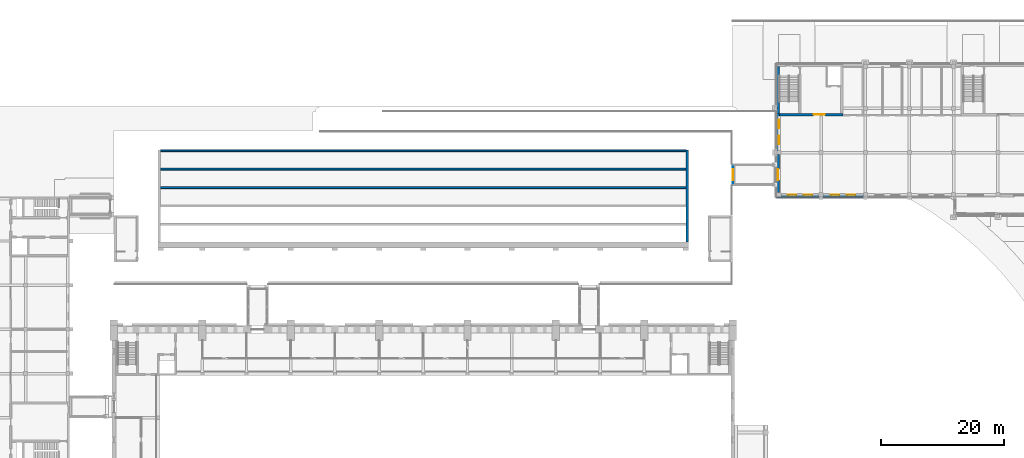
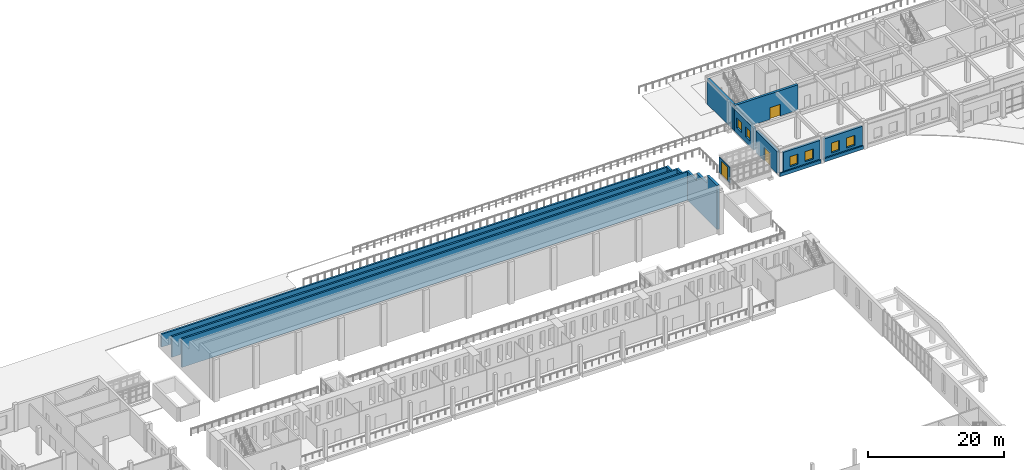
# One storey, part 99 of 131: 13 walls, 6 windows, 3 doors, 9 openings.
"""IFC4 building model written with IfcOpenShell, lengths in metres."""

from ifc_helpers import new_model, si_unit, direction, frame, frame_2d, origin, place, context, subcontext, project, spatial, polyline, rectangle, outline, extrude, material, layer, layer_set, type_object, element, fill, save


model = new_model("IFC4")

# Units and contexts
model_context = context("Model", 3, precision=1e-05, world=origin(), true_north=direction((0.0, 1.0)))
body_context = subcontext(model_context, "Body", "Model", "MODEL_VIEW")
ifc_project = project(units=[si_unit("LENGTHUNIT", "METRE"), si_unit("AREAUNIT", "SQUARE_METRE"), si_unit("VOLUMEUNIT", "CUBIC_METRE"), si_unit("PLANEANGLEUNIT", "RADIAN"), si_unit("MASSUNIT", "GRAM", prefix="KILO")], contexts=[model_context])

# Site, building, storey
site_placement = place(None, origin())
site = spatial("IfcSite", under=ifc_project, at=site_placement, CompositionType="ELEMENT")
building_placement = place(site_placement, origin())
building = spatial("IfcBuilding", under=site, at=building_placement, Name="Alderwick Market Hall", CompositionType="ELEMENT")
storey_placement = place(building_placement, frame((0.0, 0.0, 4.800048828125)))
storey = spatial("IfcBuildingStorey", under=building, at=storey_placement, Name="L00", CompositionType="ELEMENT", Elevation=4.800048828125)

# Walls
ifc_material_1 = material(Name="Concrete 5000 psi (f'c 35 MPa)", Category="concrete")
ifc_layer_1 = layer(ifc_material_1, 0.39990234375)
ifc_layer_set_1 = layer_set([ifc_layer_1], Name="Concrete 5000 psi (f'c 35 MPa)")
wall_type_1 = type_object("IfcWallType", Name="A RC Bank Cheek Wall 400", PredefinedType="SOLIDWALL", material=ifc_layer_set_1)
wall_1_placement = place(storey_placement, frame((143.800048828125, 122.25, 0.0), z_axis=(0.0, 0.0, 1.0), x_axis=(0.0, 1.0, 0.0)))
element("IfcWall", 1, at=wall_1_placement, inside=storey, type_object=wall_type_1, Name="Bank cheek wall", PredefinedType="SOLIDWALL", context=body_context, shape_type="SweptSolid", body=[
    extrude(outline(polyline([(0.0, 0.0), (15.0, 0.0), (15.0, 2.300048828125), (12.0009765625, 2.300048828125), (12.0, 3.699951171875), (9.0009765625, 3.699951171875), (9.0, 5.099853515625), (6.0009765625, 5.099853515625), (6.0, 6.5), (3.0009765625, 6.5), (3.0, 7.89990234375), (0.0, 7.89990234375), (0.0, 0.0)])), frame((0.0, 0.199951171875, 0.0), z_axis=(0.0, -1.0, 0.0), x_axis=(1.0, 0.0, 0.0)), (0.0, 0.0, 1.0), 0.39990234375),
])
ifc_layer_2 = layer(ifc_material_1, 0.300048828125)
ifc_layer_set_2 = layer_set([ifc_layer_2], Name="Concrete 5000 psi (f'c 35 MPa)")
wall_type_2 = type_object("IfcWallType", Name="A RC Terrace Parapet Wall 300", PredefinedType="SOLIDWALL", material=ifc_layer_set_2)
wall_2_placement = place(storey_placement, frame((58.0, 131.10009765625, 0.0), z_axis=(0.0, 0.0, 1.0), x_axis=(1.0, 0.0, 0.0)))
element("IfcWall", 2, at=wall_2_placement, inside=storey, type_object=wall_type_2, Name="Terrace parapet wall 3", PredefinedType="SOLIDWALL", context=body_context, shape_type="SweptSolid", body=[
    extrude(rectangle(XDim=85.60009765625, YDim=0.300048828125, at=frame_2d((42.800048828125, 0.0))), origin(), (0.0, 0.0, 1.0), 5.099853515625),
])
wall_3_placement = place(storey_placement, frame((58.0, 134.10009765625, 0.0), z_axis=(0.0, 0.0, 1.0), x_axis=(1.0, 0.0, 0.0)))
element("IfcWall", 3, at=wall_3_placement, inside=storey, type_object=wall_type_2, Name="Terrace parapet wall 4", PredefinedType="SOLIDWALL", context=body_context, shape_type="SweptSolid", body=[
    extrude(rectangle(XDim=85.60009765625, YDim=0.300048828125, at=frame_2d((42.800048828125, 0.0))), origin(), (0.0, 0.0, 1.0), 3.699951171875),
])
wall_4_placement = place(storey_placement, frame((58.0, 137.10009765625, 0.0), z_axis=(0.0, 0.0, 1.0), x_axis=(1.0, 0.0, 0.0)))
element("IfcWall", 4, at=wall_4_placement, inside=storey, type_object=wall_type_2, Name="Terrace parapet wall 5", PredefinedType="SOLIDWALL", context=body_context, shape_type="SweptSolid", body=[
    extrude(rectangle(XDim=85.60009765625, YDim=0.300048828125, at=frame_2d((42.800048828125, 0.0))), origin(), (0.0, 0.0, 1.0), 2.300048828125),
])
ifc_layer_3 = layer(ifc_material_1, 0.39990234375)
ifc_layer_set_3 = layer_set([ifc_layer_3], Name="Concrete 5000 psi (f'c 35 MPa)")
wall_type_3 = type_object("IfcWallType", Name="F Core Wall Concrete 5000 psi 400", PredefinedType="SHEAR", material=ifc_layer_set_3)
wall_5_placement = place(storey_placement, frame((158.60009765625, 143.199951171875, 0.0), z_axis=(0.0, 0.0, 1.0), x_axis=(0.0, 1.0, 0.0)))
element("IfcWall", 5, at=wall_5_placement, inside=storey, type_object=wall_type_3, Name="F.wall.L00.fac.west.03", PredefinedType="SHEAR", context=body_context, shape_type="SweptSolid", body=[
    extrude(rectangle(XDim=7.60009765625, YDim=0.39990234375, at=frame_2d((3.800048828125, 0.0))), origin(), (0.0, 0.0, 1.0), 4.550048828125),
])

# Wall, opening, door
wall_6_placement = place(storey_placement, frame((158.39990234375, 143.0, 0.0), z_axis=(0.0, 0.0, 1.0), x_axis=(1.0, 0.0, 0.0)))
wall_6 = element("IfcWall", 6, at=wall_6_placement, inside=storey, type_object=wall_type_3, Name="F.wall.L00.core.A.front.01", PredefinedType="SHEAR", context=body_context, shape_type="SweptSolid", body=[
    extrude(rectangle(XDim=10.800048828125, YDim=0.39990234375, at=frame_2d((5.39990234375, 0.0))), origin(), (0.0, 0.0, 1.0), 4.550048828125),
])
opening_1_placement = place(wall_6_placement, frame((6.0, 0.0, 0.0)))
opening_1 = element("IfcOpeningElement", 7, at=opening_1_placement, cuts=wall_6, Name="Opening F-D034", PredefinedType="OPENING", context=body_context, shape_type="SweptSolid", body=[
    extrude(rectangle(XDim=1.800048828125, YDim=2.10009765625, at=frame_2d((0.89990234375, 1.050048828125))), frame((0.0, 0.2099609375, 0.0), z_axis=(0.0, -1.0, 0.0), x_axis=(1.0, 0.0, 0.0)), (0.0, 0.0, 1.0), 0.419921875),
])
ifc_material_2 = material(Name="Steel, insulated", Category="steel")
door_type_1 = type_object("IfcDoorType", Name="F Fire Door Pair FD90 1800x2100", OperationType="NOTDEFINED", PredefinedType="DOOR", material=ifc_material_2)
door_1_placement = place(opening_1_placement, origin())
door_1 = element("IfcDoor", 8, at=door_1_placement, inside=storey, type_object=door_type_1, Name="F.door.L00.034", OperationType="NOTDEFINED", OverallHeight=2.10009765625, OverallWidth=1.800048828125, PredefinedType="DOOR", context=body_context, shape_type="SweptSolid", body=[
    extrude(rectangle(XDim=1.800048828125, YDim=2.10009765625, at=frame_2d((0.89990234375, 1.050048828125))), frame((0.0, 0.02490234375, 0.0), z_axis=(0.0, -1.0, 0.0), x_axis=(1.0, 0.0, 0.0)), (0.0, 0.0, 1.0), 0.050048828125),
])
fill(opening_1, door_1)

ifc_layer_4 = layer(ifc_material_1, 0.39990234375)
ifc_layer_set_4 = layer_set([ifc_layer_4], Name="Concrete 5000 psi (f'c 35 MPa)")
wall_type_4 = type_object("IfcWallType", Name="F End Shear Wall Concrete 5000 psi 400", PredefinedType="SHEAR", material=ifc_layer_set_4)
wall_7_placement = place(storey_placement, frame((158.60009765625, 130.27490234375, 0.0), z_axis=(0.0, 0.0, 1.0), x_axis=(0.0, 1.0, 0.0)))
wall_7 = element("IfcWall", 9, at=wall_7_placement, inside=storey, type_object=wall_type_4, Name="F.wall.L00.fac.west.01", PredefinedType="SHEAR", context=body_context, shape_type="SweptSolid", body=[
    extrude(rectangle(XDim=6.2001953125, YDim=0.39990234375, at=frame_2d((3.10009765625, 0.0))), origin(), (0.0, 0.0, 1.0), 3.949951171875),
])
opening_2_placement = place(wall_7_placement, frame((2.02490234375, 0.0, 0.0)))
opening_2 = element("IfcOpeningElement", 10, at=opening_2_placement, cuts=wall_7, Name="Opening F-D006", PredefinedType="OPENING", context=body_context, shape_type="SweptSolid", body=[
    extrude(rectangle(XDim=1.800048828125, YDim=2.39990234375, at=frame_2d((0.89990234375, 1.199951171875))), frame((0.0, 0.2099609375, 0.0), z_axis=(0.0, -1.0, 0.0), x_axis=(1.0, 0.0, 0.0)), (0.0, 0.0, 1.0), 0.419921875),
])
ifc_material_3 = material(Name="Aluminium, glazed", Category="aluminium")
door_type_2 = type_object("IfcDoorType", Name="F Passage Door Pair 1800x2400", OperationType="NOTDEFINED", PredefinedType="DOOR", material=ifc_material_3)
door_2_placement = place(opening_2_placement, origin())
door_2 = element("IfcDoor", 11, at=door_2_placement, inside=storey, type_object=door_type_2, Name="F.door.L00.006", OperationType="NOTDEFINED", OverallHeight=2.39990234375, OverallWidth=1.800048828125, PredefinedType="DOOR", context=body_context, shape_type="SweptSolid", body=[
    extrude(rectangle(XDim=1.800048828125, YDim=2.39990234375, at=frame_2d((0.89990234375, 1.199951171875))), frame((0.0, 0.02490234375, 0.0), z_axis=(0.0, -1.0, 0.0), x_axis=(1.0, 0.0, 0.0)), (0.0, 0.0, 1.0), 0.050048828125),
])
fill(opening_2, door_2)

# Wall, openings, windows
wall_8_placement = place(storey_placement, frame((158.60009765625, 137.125, 0.0), z_axis=(0.0, 0.0, 1.0), x_axis=(0.0, 1.0, 0.0)))
wall_8 = element("IfcWall", 12, at=wall_8_placement, inside=storey, type_object=wall_type_4, Name="F.wall.L00.fac.west.02", PredefinedType="SHEAR", context=body_context, shape_type="SweptSolid", body=[
    extrude(rectangle(XDim=6.074951171875, YDim=0.39990234375, at=frame_2d((3.03759765625, 0.0))), origin(), (0.0, 0.0, 1.0), 3.949951171875),
])
opening_3_placement = place(wall_8_placement, frame((1.03759765625, 0.0, 1.0)))
opening_3 = element("IfcOpeningElement", 13, at=opening_3_placement, cuts=wall_8, Name="Opening F-W013", PredefinedType="OPENING", context=body_context, shape_type="SweptSolid", body=[
    extrude(rectangle(XDim=1.39990234375, YDim=1.800048828125, at=frame_2d((0.699951171875, 0.89990234375))), frame((0.0, 0.2099609375, 0.0), z_axis=(0.0, -1.0, 0.0), x_axis=(1.0, 0.0, 0.0)), (0.0, 0.0, 1.0), 0.419921875),
])
opening_4_placement = place(wall_8_placement, frame((3.637451171875, 0.0, 1.0)))
opening_4 = element("IfcOpeningElement", 14, at=opening_4_placement, cuts=wall_8, Name="Opening F-W014", PredefinedType="OPENING", context=body_context, shape_type="SweptSolid", body=[
    extrude(rectangle(XDim=1.39990234375, YDim=1.800048828125, at=frame_2d((0.699951171875, 0.89990234375))), frame((0.0, 0.2099609375, 0.0), z_axis=(0.0, -1.0, 0.0), x_axis=(1.0, 0.0, 0.0)), (0.0, 0.0, 1.0), 0.419921875),
])
ifc_material_4 = material(Name="Aluminium frame, double glazing", Category="aluminium")
window_type = type_object("IfcWindowType", Name="F Base Window 1400x1800", PartitioningType="SINGLE_PANEL", PredefinedType="WINDOW", material=ifc_material_4)
window_1_placement = place(opening_3_placement, origin())
window_1 = element("IfcWindow", 15, at=window_1_placement, inside=storey, type_object=window_type, Name="F.win.L00.013", OverallHeight=1.800048828125, OverallWidth=1.39990234375, PartitioningType="SINGLE_PANEL", PredefinedType="WINDOW", context=body_context, shape_type="SweptSolid", body=[
    extrude(rectangle(XDim=1.39990234375, YDim=1.800048828125, at=frame_2d((0.699951171875, 0.89990234375))), frame((0.0, -0.090087890625, 0.0), z_axis=(0.0, -1.0, 0.0), x_axis=(1.0, 0.0, 0.0)), (0.0, 0.0, 1.0), 0.06005859375),
])
fill(opening_3, window_1)
window_2_placement = place(opening_4_placement, origin())
window_2 = element("IfcWindow", 16, at=window_2_placement, inside=storey, type_object=window_type, Name="F.win.L00.014", OverallHeight=1.800048828125, OverallWidth=1.39990234375, PartitioningType="SINGLE_PANEL", PredefinedType="WINDOW", context=body_context, shape_type="SweptSolid", body=[
    extrude(rectangle(XDim=1.39990234375, YDim=1.800048828125, at=frame_2d((0.699951171875, 0.89990234375))), frame((0.0, -0.090087890625, 0.0), z_axis=(0.0, -1.0, 0.0), x_axis=(1.0, 0.0, 0.0)), (0.0, 0.0, 1.0), 0.06005859375),
])
fill(opening_4, window_2)

# Walls
ifc_material_5 = material(Name="Cast stone 5000 psi", Category="masonry")
ifc_layer_5 = layer(ifc_material_5, 0.25)
ifc_layer_set_5 = layer_set([ifc_layer_5], Name="Cast stone 5000 psi")
wall_type_5 = type_object("IfcWallType", Name="F Plinth Band Cast Stone 250x600", PredefinedType="SOLIDWALL", material=ifc_layer_set_5)
wall_9_placement = place(storey_placement, frame((165.300048828125, 129.47509765625, 0.0), z_axis=(0.0, 0.0, 1.0), x_axis=(-1.0, 0.0, 0.0)))
element("IfcWall", 17, at=wall_9_placement, inside=storey, type_object=wall_type_5, Name="F.wall.L00.plinth.front.01", PredefinedType="SOLIDWALL", context=body_context, shape_type="SweptSolid", body=[
    extrude(rectangle(XDim=6.900146484375, YDim=0.25, at=frame_2d((3.4501953125, 0.0))), origin(), (0.0, 0.0, 1.0), 0.599853515625),
])
wall_10_placement = place(storey_placement, frame((172.5, 129.47509765625, 0.0), z_axis=(0.0, 0.0, 1.0), x_axis=(-1.0, 0.0, 0.0)))
element("IfcWall", 18, at=wall_10_placement, inside=storey, type_object=wall_type_5, Name="F.wall.L00.plinth.front.02", PredefinedType="SOLIDWALL", context=body_context, shape_type="SweptSolid", body=[
    extrude(rectangle(XDim=6.60009765625, YDim=0.25, at=frame_2d((3.300048828125, 0.0))), origin(), (0.0, 0.0, 1.0), 0.599853515625),
])

# Wall, openings, windows
ifc_material_6 = material(Name="Glazed terra-cotta ASTM C126 Grade S")
ifc_layer_6 = layer(ifc_material_6, 0.39990234375)
ifc_layer_set_6 = layer_set([ifc_layer_6], Name="Glazed terra-cotta ASTM C126 Grade S")
wall_type_6 = type_object("IfcWallType", Name="F Terra-cotta Faced Wall 400", PredefinedType="SOLIDWALL", material=ifc_layer_set_6)
wall_11_placement = place(storey_placement, frame((165.27490234375, 129.800048828125, 0.0), z_axis=(0.0, 0.0, 1.0), x_axis=(-1.0, 0.0, 0.0)))
wall_11 = element("IfcWall", 19, at=wall_11_placement, inside=storey, type_object=wall_type_6, Name="F.wall.L00.fac.front.01", PredefinedType="SOLIDWALL", context=body_context, shape_type="SweptSolid", body=[
    extrude(rectangle(XDim=6.199951171875, YDim=0.39990234375, at=frame_2d((3.10009765625, 0.0))), origin(), (0.0, 0.0, 1.0), 3.949951171875),
])
opening_5_placement = place(wall_11_placement, frame((1.10009765625, 0.0, 1.0)))
opening_5 = element("IfcOpeningElement", 20, at=opening_5_placement, cuts=wall_11, Name="Opening F-W001", PredefinedType="OPENING", context=body_context, shape_type="SweptSolid", body=[
    extrude(rectangle(XDim=1.39990234375, YDim=1.800048828125, at=frame_2d((0.699951171875, 0.89990234375))), frame((0.0, 0.2099609375, 0.0), z_axis=(0.0, -1.0, 0.0), x_axis=(1.0, 0.0, 0.0)), (0.0, 0.0, 1.0), 0.419921875),
])
opening_6_placement = place(wall_11_placement, frame((3.699951171875, 0.0, 1.0)))
opening_6 = element("IfcOpeningElement", 21, at=opening_6_placement, cuts=wall_11, Name="Opening F-W002", PredefinedType="OPENING", context=body_context, shape_type="SweptSolid", body=[
    extrude(rectangle(XDim=1.39990234375, YDim=1.800048828125, at=frame_2d((0.699951171875, 0.89990234375))), frame((0.0, 0.2099609375, 0.0), z_axis=(0.0, -1.0, 0.0), x_axis=(1.0, 0.0, 0.0)), (0.0, 0.0, 1.0), 0.419921875),
])
window_3_placement = place(opening_5_placement, origin())
window_3 = element("IfcWindow", 22, at=window_3_placement, inside=storey, type_object=window_type, Name="F.win.L00.001", OverallHeight=1.800048828125, OverallWidth=1.39990234375, PartitioningType="SINGLE_PANEL", PredefinedType="WINDOW", context=body_context, shape_type="SweptSolid", body=[
    extrude(rectangle(XDim=1.39990234375, YDim=1.800048828125, at=frame_2d((0.699951171875, 0.89990234375))), frame((0.0, -0.090087890625, 0.0), z_axis=(0.0, -1.0, 0.0), x_axis=(1.0, 0.0, 0.0)), (0.0, 0.0, 1.0), 0.06005859375),
])
fill(opening_5, window_3)
window_4_placement = place(opening_6_placement, origin())
window_4 = element("IfcWindow", 23, at=window_4_placement, inside=storey, type_object=window_type, Name="F.win.L00.002", OverallHeight=1.800048828125, OverallWidth=1.39990234375, PartitioningType="SINGLE_PANEL", PredefinedType="WINDOW", context=body_context, shape_type="SweptSolid", body=[
    extrude(rectangle(XDim=1.39990234375, YDim=1.800048828125, at=frame_2d((0.699951171875, 0.89990234375))), frame((0.0, -0.090087890625, 0.0), z_axis=(0.0, -1.0, 0.0), x_axis=(1.0, 0.0, 0.0)), (0.0, 0.0, 1.0), 0.06005859375),
])
fill(opening_6, window_4)

wall_12_placement = place(storey_placement, frame((172.47509765625, 129.800048828125, 0.0), z_axis=(0.0, 0.0, 1.0), x_axis=(-1.0, 0.0, 0.0)))
wall_12 = element("IfcWall", 24, at=wall_12_placement, inside=storey, type_object=wall_type_6, Name="F.wall.L00.fac.front.02", PredefinedType="SOLIDWALL", context=body_context, shape_type="SweptSolid", body=[
    extrude(rectangle(XDim=6.550048828125, YDim=0.39990234375, at=frame_2d((3.27490234375, 0.0))), origin(), (0.0, 0.0, 1.0), 3.949951171875),
])
opening_7_placement = place(wall_12_placement, frame((1.27490234375, 0.0, 1.0)))
opening_7 = element("IfcOpeningElement", 25, at=opening_7_placement, cuts=wall_12, Name="Opening F-W003", PredefinedType="OPENING", context=body_context, shape_type="SweptSolid", body=[
    extrude(rectangle(XDim=1.39990234375, YDim=1.800048828125, at=frame_2d((0.699951171875, 0.89990234375))), frame((0.0, 0.2099609375, 0.0), z_axis=(0.0, -1.0, 0.0), x_axis=(1.0, 0.0, 0.0)), (0.0, 0.0, 1.0), 0.419921875),
])
opening_8_placement = place(wall_12_placement, frame((3.875, 0.0, 1.0)))
opening_8 = element("IfcOpeningElement", 26, at=opening_8_placement, cuts=wall_12, Name="Opening F-W004", PredefinedType="OPENING", context=body_context, shape_type="SweptSolid", body=[
    extrude(rectangle(XDim=1.39990234375, YDim=1.800048828125, at=frame_2d((0.699951171875, 0.89990234375))), frame((0.0, 0.2099609375, 0.0), z_axis=(0.0, -1.0, 0.0), x_axis=(1.0, 0.0, 0.0)), (0.0, 0.0, 1.0), 0.419921875),
])
window_5_placement = place(opening_7_placement, origin())
window_5 = element("IfcWindow", 27, at=window_5_placement, inside=storey, type_object=window_type, Name="F.win.L00.003", OverallHeight=1.800048828125, OverallWidth=1.39990234375, PartitioningType="SINGLE_PANEL", PredefinedType="WINDOW", context=body_context, shape_type="SweptSolid", body=[
    extrude(rectangle(XDim=1.39990234375, YDim=1.800048828125, at=frame_2d((0.699951171875, 0.89990234375))), frame((0.0, -0.090087890625, 0.0), z_axis=(0.0, -1.0, 0.0), x_axis=(1.0, 0.0, 0.0)), (0.0, 0.0, 1.0), 0.06005859375),
])
fill(opening_7, window_5)
window_6_placement = place(opening_8_placement, origin())
window_6 = element("IfcWindow", 28, at=window_6_placement, inside=storey, type_object=window_type, Name="F.win.L00.004", OverallHeight=1.800048828125, OverallWidth=1.39990234375, PartitioningType="SINGLE_PANEL", PredefinedType="WINDOW", context=body_context, shape_type="SweptSolid", body=[
    extrude(rectangle(XDim=1.39990234375, YDim=1.800048828125, at=frame_2d((0.699951171875, 0.89990234375))), frame((0.0, -0.090087890625, 0.0), z_axis=(0.0, -1.0, 0.0), x_axis=(1.0, 0.0, 0.0)), (0.0, 0.0, 1.0), 0.06005859375),
])
fill(opening_8, window_6)

# Wall, opening, door
ifc_material_7 = material(Name="Aluminium frame with glazing infill", Category="aluminium")
ifc_layer_7 = layer(ifc_material_7, 0.1201171875)
ifc_layer_set_7 = layer_set([ifc_layer_7], Name="Aluminium frame with glazing infill")
wall_type_7 = type_object("IfcWallType", Name="P Glazed End Wall 120", PredefinedType="SOLIDWALL", material=ifc_layer_set_7)
wall_13_placement = place(storey_placement, frame((151.260009765625, 131.6259765625, 0.0), z_axis=(0.0, 0.0, 1.0), x_axis=(0.0, 1.0, 0.0)))
wall_13 = element("IfcWall", 29, at=wall_13_placement, inside=storey, type_object=wall_type_7, Name="P.P9.endwall.low", PredefinedType="SOLIDWALL", context=body_context, shape_type="SweptSolid", body=[
    extrude(rectangle(XDim=3.14794921875, YDim=0.1201171875, at=frame_2d((1.573974609375, 0.0))), origin(), (0.0, 0.0, 1.0), 2.7529296875),
])
opening_9_placement = place(wall_13_placement, frame((0.674072265625, 0.0, 0.0)))
opening_9 = element("IfcOpeningElement", 30, at=opening_9_placement, cuts=wall_13, Name="Opening P-D007", PredefinedType="OPENING", context=body_context, shape_type="SweptSolid", body=[
    extrude(rectangle(XDim=1.800048828125, YDim=2.39990234375, at=frame_2d((0.89990234375, 1.199951171875))), frame((0.0, 0.070068359375, 0.0), z_axis=(0.0, -1.0, 0.0), x_axis=(1.0, 0.0, 0.0)), (0.0, 0.0, 1.0), 0.14013671875),
])
ifc_material_8 = material(Name="Aluminium frame and glass", Category="aluminium")
door_type_3 = type_object("IfcDoorType", Name="P Glazed Double Door 1800x2400", OperationType="DOUBLE_DOOR_DOUBLE_SWING", PredefinedType="DOOR", material=ifc_material_8)
door_3_placement = place(opening_9_placement, origin())
door_3 = element("IfcDoor", 31, at=door_3_placement, inside=storey, type_object=door_type_3, Name="Passage door onto the roof", OperationType="DOUBLE_DOOR_DOUBLE_SWING", OverallHeight=2.39990234375, OverallWidth=1.800048828125, PredefinedType="DOOR", context=body_context, shape_type="SweptSolid", body=[
    extrude(rectangle(XDim=1.800048828125, YDim=2.39990234375, at=frame_2d((0.89990234375, 1.199951171875))), frame((0.0, 0.02490234375, 0.0), z_axis=(0.0, -1.0, 0.0), x_axis=(1.0, 0.0, 0.0)), (0.0, 0.0, 1.0), 0.050048828125),
])
fill(opening_9, door_3)

save(model, "model.ifc")
